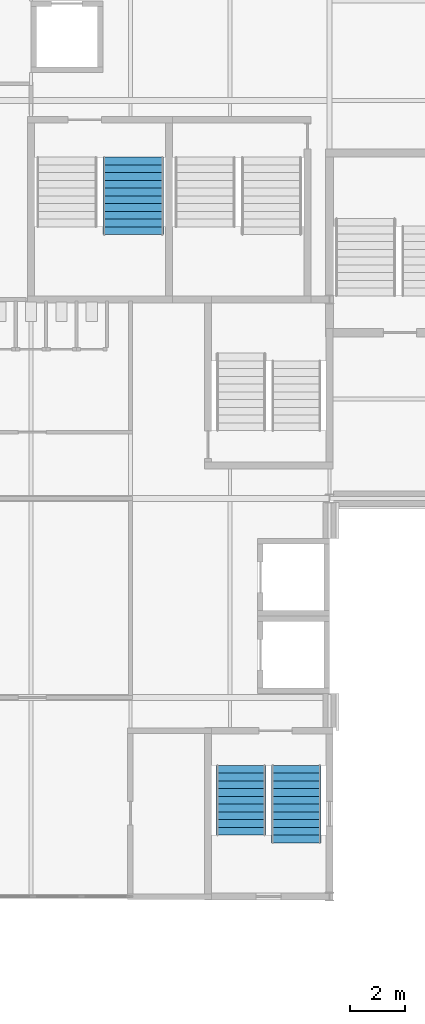
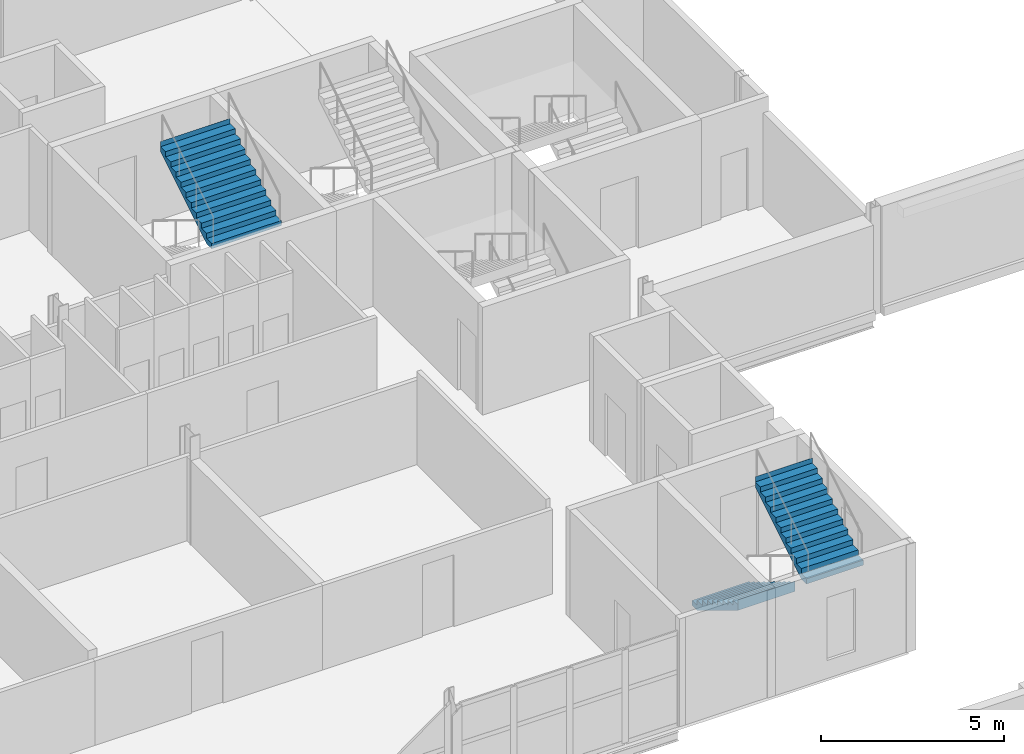
# One storey, part 64 of 90: 3 stair flights, 2 elements without a shape of their own.
"""IFC4 building model written with IfcOpenShell, lengths in metres."""

from ifc_helpers import new_model, si_unit, direction, frame, origin, place, context, subcontext, project, spatial, polyline, outline, extrude, material, type_object, element, aggregate, save


model = new_model("IFC4")

# Units and contexts
model_context = context("Model", 3, precision=1e-05, world=origin(), true_north=direction((0.0, 1.0)))
body_context = subcontext(model_context, "Body", "Model", "MODEL_VIEW")
ifc_project = project(units=[si_unit("LENGTHUNIT", "METRE"), si_unit("AREAUNIT", "SQUARE_METRE"), si_unit("VOLUMEUNIT", "CUBIC_METRE"), si_unit("PLANEANGLEUNIT", "RADIAN"), si_unit("MASSUNIT", "GRAM", prefix="KILO")], contexts=[model_context])

# Site, building, storey
site_placement = place(None, origin())
site = spatial("IfcSite", under=ifc_project, at=site_placement, CompositionType="ELEMENT")
building_placement = place(site_placement, origin())
building = spatial("IfcBuilding", under=site, at=building_placement, Name="Kupolbacken Congress Centre", CompositionType="ELEMENT")
storey_placement = place(building_placement, frame((0.0, 0.0, 3.60009765625)))
storey = spatial("IfcBuildingStorey", under=building, at=storey_placement, Name="L01", CompositionType="ELEMENT", Elevation=3.60009765625)

# Stair, stair flight
ifc_material_1 = material(Name="Concrete C30/37", Category="concrete")
stair_type_1 = type_object("IfcStairType", Name="ST13 stair 2200", PredefinedType="TWO_STRAIGHT_RUN_STAIR", material=ifc_material_1)
stair_1_placement = place(storey_placement, origin())
stair_1 = element("IfcStair", 1, at=stair_1_placement, inside=storey, type_object=stair_type_1, Name="C/stair/PS1SE/L01", PredefinedType="NOTDEFINED")
ifc_material_2 = material(Name="Concrete C30/37", Category="concrete")
stair_flight_type_1 = type_object("IfcStairFlightType", Name="FL14 stair flight 2200 x 11 risers", PredefinedType="STRAIGHT", material=ifc_material_2)
stair_flight_1_placement = place(storey_placement, frame((72.10009765625, 52.7451171875, 1.714111328125), z_axis=(0.0, 0.0, 1.0), x_axis=(0.0, 1.0, 0.0)))
stair_flight_1 = element("IfcStairFlight", 2, at=stair_flight_1_placement, type_object=stair_flight_type_1, Name="PS1SE flight 2", NumberOfRisers=11, NumberOfTreads=10, PredefinedType="STRAIGHT", RiserHeight=0.171428571, TreadLength=0.28, context=body_context, shape_type="SweptSolid", body=[
    extrude(outline(polyline([(0.0, 0.0), (0.0, 0.0009765625), (0.0, 0.002197265625), (0.0, 0.003173828125), (0.0, 0.004150390625), (0.0, 0.00537109375), (0.0, 0.00634765625), (0.0, 0.007568359375), (0.0, 0.008544921875), (0.0, 0.009521484375), (0.0, 0.0107421875), (0.0, 0.01171875), (0.0, 0.0126953125), (0.0, 0.013916015625), (0.0, 0.014892578125), (0.0, 0.015869140625), (0.0, 0.01708984375), (0.0, 0.01806640625), (0.0, 0.019287109375), (0.0, 0.020263671875), (0.0, 0.021240234375), (0.0, 0.0224609375), (0.0, 0.0234375), (0.0, 0.0244140625), (0.0, 0.025634765625), (0.0, 0.026611328125), (0.0, 0.027587890625), (0.0, 0.02880859375), (0.0, 0.02978515625), (0.0, 0.03076171875), (0.0, 0.031982421875), (0.0, 0.032958984375), (0.0, 0.0341796875), (0.0, 0.03515625), (0.0, 0.0361328125), (0.0, 0.037353515625), (0.0, 0.038330078125), (0.0, 0.039306640625), (0.0, 0.04052734375), (0.0, 0.04150390625), (0.0, 0.04248046875), (0.0, 0.043701171875), (0.0, 0.044677734375), (0.0, 0.0458984375), (0.0, 0.046875), (0.0, 0.0478515625), (0.0, 0.049072265625), (0.0, 0.050048828125), (0.0, 0.051025390625), (0.0, 0.05224609375), (0.0, 0.05322265625), (0.0, 0.05419921875), (0.0, 0.055419921875), (0.0, 0.056396484375), (0.0, 0.0576171875), (0.0, 0.05859375), (0.0, 0.0595703125), (0.0, 0.060791015625), (0.0, 0.061767578125), (0.0, 0.062744140625), (0.0, 0.06396484375), (0.0, 0.06494140625), (0.0, 0.06591796875), (0.0, 0.067138671875), (0.0, 0.068115234375), (0.0, 0.069091796875), (0.0, 0.0703125), (0.0, 0.0712890625), (0.0, 0.072509765625), (0.0, 0.073486328125), (0.0, 0.074462890625), (0.0, 0.07568359375), (0.0, 0.07666015625), (0.0, 0.07763671875), (0.0, 0.078857421875), (0.0, 0.079833984375), (0.0, 0.080810546875), (0.0, 0.08203125), (0.0, 0.0830078125), (0.0, 0.084228515625), (0.0, 0.085205078125), (0.0, 0.086181640625), (0.0, 0.08740234375), (0.0, 0.08837890625), (0.0, 0.08935546875), (0.0, 0.090576171875), (0.0, 0.091552734375), (0.0, 0.092529296875), (0.0, 0.09375), (0.0, 0.0947265625), (0.0, 0.095947265625), (0.0, 0.096923828125), (0.0, 0.097900390625), (0.0, 0.09912109375), (0.0, 0.10009765625), (0.0, 0.10107421875), (0.0, 0.102294921875), (0.0, 0.103271484375), (0.0, 0.104248046875), (0.0, 0.10546875), (0.0, 0.1064453125), (0.0, 0.107421875), (0.0, 0.108642578125), (0.0, 0.109619140625), (0.0, 0.11083984375), (0.0, 0.11181640625), (0.0, 0.11279296875), (0.0, 0.114013671875), (0.0, 0.114990234375), (0.0, 0.115966796875), (0.0, 0.1171875), (0.0, 0.1181640625), (0.0, 0.119140625), (0.0, 0.120361328125), (0.0, 0.121337890625), (0.0, 0.12255859375), (0.0, 0.12353515625), (0.0, 0.12451171875), (0.0, 0.125732421875), (0.0, 0.126708984375), (0.0, 0.127685546875), (0.0, 0.12890625), (0.0, 0.1298828125), (0.0, 0.130859375), (0.0, 0.132080078125), (0.0, 0.133056640625), (0.0, 0.13427734375), (0.0, 0.13525390625), (0.0, 0.13623046875), (0.0, 0.137451171875), (0.0, 0.138427734375), (0.0, 0.139404296875), (0.0, 0.140625), (0.0, 0.1416015625), (0.0, 0.142578125), (0.0, 0.143798828125), (0.0, 0.144775390625), (0.0, 0.145751953125), (0.0, 0.14697265625), (0.0, 0.14794921875), (0.0, 0.149169921875), (0.0, 0.150146484375), (0.0, 0.151123046875), (0.0, 0.15234375), (0.0, 0.1533203125), (0.0, 0.154296875), (0.0, 0.155517578125), (0.0, 0.156494140625), (0.0, 0.157470703125), (0.0, 0.15869140625), (0.0, 0.15966796875), (0.0, 0.160888671875), (0.0, 0.161865234375), (0.0, 0.162841796875), (0.0, 0.1640625), (0.0, 0.1650390625), (0.0, 0.166015625), (0.0, 0.167236328125), (0.0, 0.168212890625), (0.0, 0.169189453125), (0.0, 0.17041015625), (0.0, 0.17138671875), (0.280029296875, 0.17138671875), (0.280029296875, 0.3427734375), (0.56005859375, 0.3427734375), (0.56005859375, 0.514404296875), (0.840087890625, 0.514404296875), (0.840087890625, 0.685791015625), (1.1201171875, 0.685791015625), (1.1201171875, 0.857177734375), (1.39990234375, 0.857177734375), (1.39990234375, 1.028564453125), (1.679931640625, 1.028564453125), (1.679931640625, 1.199951171875), (1.9599609375, 1.199951171875), (1.9599609375, 1.371337890625), (2.239990234375, 1.371337890625), (2.239990234375, 1.54296875), (2.52001953125, 1.54296875), (2.52001953125, 1.71435546875), (2.800048828125, 1.71435546875), (2.800048828125, 1.8857421875), (2.802001953125, 1.8857421875), (2.802001953125, 1.883544921875), (2.802001953125, 1.88134765625), (2.802001953125, 1.879150390625), (2.802001953125, 1.877197265625), (2.802001953125, 1.875), (2.802001953125, 1.872802734375), (2.802001953125, 1.87060546875), (2.802001953125, 1.868408203125), (2.802001953125, 1.8662109375), (2.802001953125, 1.8642578125), (2.802001953125, 1.862060546875), (2.802001953125, 1.85986328125), (2.802001953125, 1.857666015625), (2.802001953125, 1.85546875), (2.802001953125, 1.853271484375), (2.802001953125, 1.851318359375), (2.802001953125, 1.84912109375), (2.802001953125, 1.846923828125), (2.802001953125, 1.8447265625), (2.802001953125, 1.842529296875), (2.802001953125, 1.84033203125), (2.802001953125, 1.83837890625), (2.802001953125, 1.836181640625), (2.802001953125, 1.833984375), (2.802001953125, 1.831787109375), (2.802001953125, 1.82958984375), (2.802001953125, 1.827392578125), (2.802001953125, 1.825439453125), (2.802001953125, 1.8232421875), (2.802001953125, 1.821044921875), (2.802001953125, 1.81884765625), (2.802001953125, 1.816650390625), (2.802001953125, 1.814453125), (2.802001953125, 1.8125), (2.802001953125, 1.810302734375), (2.802001953125, 1.80810546875), (2.802001953125, 1.805908203125), (2.802001953125, 1.8037109375), (2.802001953125, 1.801513671875), (2.802001953125, 1.799560546875), (2.802001953125, 1.79736328125), (2.802001953125, 1.795166015625), (2.802001953125, 1.79296875), (2.802001953125, 1.790771484375), (2.802001953125, 1.78857421875), (2.802001953125, 1.78662109375), (2.802001953125, 1.784423828125), (2.802001953125, 1.7822265625), (2.802001953125, 1.780029296875), (2.802001953125, 1.77783203125), (2.802001953125, 1.775634765625), (2.802001953125, 1.773681640625), (2.802001953125, 1.771484375), (2.802001953125, 1.769287109375), (2.802001953125, 1.76708984375), (2.802001953125, 1.764892578125), (2.802001953125, 1.7626953125), (2.802001953125, 1.7607421875), (2.802001953125, 1.758544921875), (2.802001953125, 1.75634765625), (2.802001953125, 1.754150390625), (2.802001953125, 1.751953125), (2.802001953125, 1.749755859375), (2.802001953125, 1.747802734375), (2.802001953125, 1.74560546875), (2.802001953125, 1.743408203125), (2.802001953125, 1.7412109375), (2.802001953125, 1.739013671875), (2.802001953125, 1.73681640625), (2.802001953125, 1.73486328125), (2.802001953125, 1.732666015625), (2.802001953125, 1.73046875), (2.802001953125, 1.728271484375), (2.802001953125, 1.72607421875), (2.802001953125, 1.723876953125), (2.802001953125, 1.721923828125), (2.802001953125, 1.7197265625), (2.802001953125, 1.717529296875), (2.802001953125, 1.71533203125), (2.802001953125, 1.713134765625), (2.802001953125, 1.7109375), (2.802001953125, 1.708984375), (2.802001953125, 1.706787109375), (2.802001953125, 1.70458984375), (2.802001953125, 1.702392578125), (2.802001953125, 1.7001953125), (2.802001953125, 1.697998046875), (2.802001953125, 1.696044921875), (2.802001953125, 1.69384765625), (2.802001953125, 1.691650390625), (2.802001953125, 1.689453125), (2.802001953125, 1.687255859375), (2.802001953125, 1.68505859375), (2.802001953125, 1.68310546875), (2.802001953125, 1.680908203125), (2.802001953125, 1.6787109375), (2.802001953125, 1.676513671875), (2.802001953125, 1.67431640625), (2.802001953125, 1.672119140625), (2.802001953125, 1.670166015625), (2.802001953125, 1.66796875), (2.802001953125, 1.665771484375), (2.802001953125, 1.66357421875), (2.802001953125, 1.661376953125), (2.802001953125, 1.6591796875), (2.802001953125, 1.6572265625), (2.802001953125, 1.655029296875), (2.802001953125, 1.65283203125), (2.802001953125, 1.650634765625), (2.802001953125, 1.6484375), (2.802001953125, 1.646240234375), (2.802001953125, 1.644287109375), (2.802001953125, 1.64208984375), (2.802001953125, 1.639892578125), (2.802001953125, 1.6376953125), (2.802001953125, 1.635498046875), (2.802001953125, 1.63330078125), (2.802001953125, 1.63134765625), (2.802001953125, 1.629150390625), (2.802001953125, 1.626953125), (2.802001953125, 1.624755859375), (2.802001953125, 1.62255859375), (2.802001953125, 1.620361328125), (2.802001953125, 1.618408203125), (2.802001953125, 1.6162109375), (2.802001953125, 1.614013671875), (2.802001953125, 1.61181640625), (2.802001953125, 1.609619140625), (2.802001953125, 1.607421875), (2.802001953125, 1.60546875), (2.802001953125, 1.603271484375), (2.802001953125, 1.60107421875), (2.802001953125, 1.598876953125), (2.802001953125, 1.5966796875), (2.802001953125, 1.594482421875), (2.802001953125, 1.592529296875), (2.802001953125, 1.59033203125), (2.802001953125, 1.588134765625), (2.802001953125, 1.5859375), (2.802001953125, 1.583740234375), (2.802001953125, 1.58154296875), (2.802001953125, 1.57958984375), (2.802001953125, 1.577392578125), (2.802001953125, 1.5751953125), (2.802001953125, 1.572998046875), (2.802001953125, 1.57080078125), (2.802001953125, 1.568603515625), (2.802001953125, 1.566650390625), (2.802001953125, 1.564453125), (2.802001953125, 1.562255859375), (2.802001953125, 1.56005859375), (2.802001953125, 1.557861328125), (2.802001953125, 1.5556640625), (2.802001953125, 1.5537109375), (2.802001953125, 1.551513671875), (2.802001953125, 1.54931640625), (2.802001953125, 1.547119140625), (2.802001953125, 1.544921875), (2.802001953125, 1.542724609375), (2.802001953125, 1.540771484375), (2.802001953125, 1.53857421875), (0.2890625, 0.0), (0.0, 0.0)])), frame((0.0, 1.10009765625, 0.0), z_axis=(0.0, -1.0, 0.0), x_axis=(1.0, 0.0, 0.0)), (0.0, 0.0, 1.0), 2.199951171875),
])
aggregate(stair_1, [stair_flight_1])

# Stair, stair flights
ifc_material_3 = material(Name="Steel S355", Category="steel")
stair_type_2 = type_object("IfcStairType", Name="ST3 stair 1800", PredefinedType="TWO_STRAIGHT_RUN_STAIR", material=ifc_material_3)
stair_2_placement = place(storey_placement, origin())
stair_2 = element("IfcStair", 3, at=stair_2_placement, inside=storey, type_object=stair_type_2, Name="C/stair/FS1E/L01", PredefinedType="NOTDEFINED")
ifc_material_4 = material(Name="Steel S355", Category="steel")
stair_flight_type_2 = type_object("IfcStairFlightType", Name="FL5 stair flight 1800 x 10 risers", PredefinedType="STRAIGHT", material=ifc_material_4)
stair_flight_2_placement = place(storey_placement, frame((76.0, 33.544921875, 0.0), z_axis=(0.0, 0.0, 1.0), x_axis=(0.0, -1.0, 0.0)))
stair_flight_2 = element("IfcStairFlight", 4, at=stair_flight_2_placement, type_object=stair_flight_type_2, Name="FS1E flight 1", NumberOfRisers=10, NumberOfTreads=9, PredefinedType="STRAIGHT", RiserHeight=0.171428571, TreadLength=0.28, context=body_context, shape_type="SweptSolid", body=[
    extrude(outline(polyline([(0.0, 0.0), (0.0, 0.0009765625), (0.0, 0.002197265625), (0.0, 0.003173828125), (0.0, 0.004150390625), (0.0, 0.00537109375), (0.0, 0.00634765625), (0.0, 0.007568359375), (0.0, 0.008544921875), (0.0, 0.009521484375), (0.0, 0.0107421875), (0.0, 0.01171875), (0.0, 0.0126953125), (0.0, 0.013916015625), (0.0, 0.014892578125), (0.0, 0.015869140625), (0.0, 0.01708984375), (0.0, 0.01806640625), (0.0, 0.019287109375), (0.0, 0.020263671875), (0.0, 0.021240234375), (0.0, 0.0224609375), (0.0, 0.0234375), (0.0, 0.0244140625), (0.0, 0.025634765625), (0.0, 0.026611328125), (0.0, 0.027587890625), (0.0, 0.02880859375), (0.0, 0.02978515625), (0.0, 0.03076171875), (0.0, 0.031982421875), (0.0, 0.032958984375), (0.0, 0.0341796875), (0.0, 0.03515625), (0.0, 0.0361328125), (0.0, 0.037353515625), (0.0, 0.038330078125), (0.0, 0.039306640625), (0.0, 0.04052734375), (0.0, 0.04150390625), (0.0, 0.04248046875), (0.0, 0.043701171875), (0.0, 0.044677734375), (0.0, 0.0458984375), (0.0, 0.046875), (0.0, 0.0478515625), (0.0, 0.049072265625), (0.0, 0.050048828125), (0.0, 0.051025390625), (0.0, 0.05224609375), (0.0, 0.05322265625), (0.0, 0.05419921875), (0.0, 0.055419921875), (0.0, 0.056396484375), (0.0, 0.0576171875), (0.0, 0.05859375), (0.0, 0.0595703125), (0.0, 0.060791015625), (0.0, 0.061767578125), (0.0, 0.062744140625), (0.0, 0.06396484375), (0.0, 0.06494140625), (0.0, 0.06591796875), (0.0, 0.067138671875), (0.0, 0.068115234375), (0.0, 0.069091796875), (0.0, 0.0703125), (0.0, 0.0712890625), (0.0, 0.072509765625), (0.0, 0.073486328125), (0.0, 0.074462890625), (0.0, 0.07568359375), (0.0, 0.07666015625), (0.0, 0.07763671875), (0.0, 0.078857421875), (0.0, 0.079833984375), (0.0, 0.080810546875), (0.0, 0.08203125), (0.0, 0.0830078125), (0.0, 0.084228515625), (0.0, 0.085205078125), (0.0, 0.086181640625), (0.0, 0.08740234375), (0.0, 0.08837890625), (0.0, 0.08935546875), (0.0, 0.090576171875), (0.0, 0.091552734375), (0.0, 0.092529296875), (0.0, 0.09375), (0.0, 0.0947265625), (0.0, 0.095947265625), (0.0, 0.096923828125), (0.0, 0.097900390625), (0.0, 0.09912109375), (0.0, 0.10009765625), (0.0, 0.10107421875), (0.0, 0.102294921875), (0.0, 0.103271484375), (0.0, 0.104248046875), (0.0, 0.10546875), (0.0, 0.1064453125), (0.0, 0.107421875), (0.0, 0.108642578125), (0.0, 0.109619140625), (0.0, 0.11083984375), (0.0, 0.11181640625), (0.0, 0.11279296875), (0.0, 0.114013671875), (0.0, 0.114990234375), (0.0, 0.115966796875), (0.0, 0.1171875), (0.0, 0.1181640625), (0.0, 0.119140625), (0.0, 0.120361328125), (0.0, 0.121337890625), (0.0, 0.12255859375), (0.0, 0.12353515625), (0.0, 0.12451171875), (0.0, 0.125732421875), (0.0, 0.126708984375), (0.0, 0.127685546875), (0.0, 0.12890625), (0.0, 0.1298828125), (0.0, 0.130859375), (0.0, 0.132080078125), (0.0, 0.133056640625), (0.0, 0.13427734375), (0.0, 0.13525390625), (0.0, 0.13623046875), (0.0, 0.137451171875), (0.0, 0.138427734375), (0.0, 0.139404296875), (0.0, 0.140625), (0.0, 0.1416015625), (0.0, 0.142578125), (0.0, 0.143798828125), (0.0, 0.144775390625), (0.0, 0.145751953125), (0.0, 0.14697265625), (0.0, 0.14794921875), (0.0, 0.149169921875), (0.0, 0.150146484375), (0.0, 0.151123046875), (0.0, 0.15234375), (0.0, 0.1533203125), (0.0, 0.154296875), (0.0, 0.155517578125), (0.0, 0.156494140625), (0.0, 0.157470703125), (0.0, 0.15869140625), (0.0, 0.15966796875), (0.0, 0.160888671875), (0.0, 0.161865234375), (0.0, 0.162841796875), (0.0, 0.1640625), (0.0, 0.1650390625), (0.0, 0.166015625), (0.0, 0.167236328125), (0.0, 0.168212890625), (0.0, 0.169189453125), (0.0, 0.17041015625), (0.0, 0.17138671875), (0.280029296875, 0.17138671875), (0.280029296875, 0.3427734375), (0.56005859375, 0.3427734375), (0.56005859375, 0.514404296875), (0.840087890625, 0.514404296875), (0.840087890625, 0.685791015625), (1.1201171875, 0.685791015625), (1.1201171875, 0.857177734375), (1.39990234375, 0.857177734375), (1.39990234375, 1.028564453125), (1.679931640625, 1.028564453125), (1.679931640625, 1.199951171875), (1.9599609375, 1.199951171875), (1.9599609375, 1.371337890625), (2.239990234375, 1.371337890625), (2.239990234375, 1.54296875), (2.52001953125, 1.54296875), (2.52001953125, 1.71435546875), (2.52197265625, 1.71435546875), (2.52197265625, 1.712158203125), (2.52197265625, 1.7099609375), (2.52197265625, 1.707763671875), (2.52197265625, 1.70556640625), (2.52197265625, 1.70361328125), (2.52197265625, 1.701416015625), (2.52197265625, 1.69921875), (2.52197265625, 1.697021484375), (2.52197265625, 1.69482421875), (2.52197265625, 1.692626953125), (2.52197265625, 1.690673828125), (2.52197265625, 1.6884765625), (2.52197265625, 1.686279296875), (2.52197265625, 1.68408203125), (2.52197265625, 1.681884765625), (2.52197265625, 1.6796875), (2.52197265625, 1.677734375), (2.52197265625, 1.675537109375), (2.52197265625, 1.67333984375), (2.52197265625, 1.671142578125), (2.52197265625, 1.6689453125), (2.52197265625, 1.666748046875), (2.52197265625, 1.664794921875), (2.52197265625, 1.66259765625), (2.52197265625, 1.660400390625), (2.52197265625, 1.658203125), (2.52197265625, 1.656005859375), (2.52197265625, 1.65380859375), (2.52197265625, 1.65185546875), (2.52197265625, 1.649658203125), (2.52197265625, 1.6474609375), (2.52197265625, 1.645263671875), (2.52197265625, 1.64306640625), (2.52197265625, 1.640869140625), (2.52197265625, 1.638916015625), (2.52197265625, 1.63671875), (2.52197265625, 1.634521484375), (2.52197265625, 1.63232421875), (2.52197265625, 1.630126953125), (2.52197265625, 1.6279296875), (2.52197265625, 1.6259765625), (2.52197265625, 1.623779296875), (2.52197265625, 1.62158203125), (2.52197265625, 1.619384765625), (2.52197265625, 1.6171875), (2.52197265625, 1.614990234375), (2.52197265625, 1.613037109375), (2.52197265625, 1.61083984375), (2.52197265625, 1.608642578125), (2.52197265625, 1.6064453125), (2.52197265625, 1.604248046875), (2.52197265625, 1.60205078125), (2.52197265625, 1.60009765625), (2.52197265625, 1.597900390625), (2.52197265625, 1.595703125), (2.52197265625, 1.593505859375), (2.52197265625, 1.59130859375), (2.52197265625, 1.589111328125), (2.52197265625, 1.587158203125), (2.52197265625, 1.5849609375), (2.52197265625, 1.582763671875), (2.52197265625, 1.58056640625), (2.52197265625, 1.578369140625), (2.52197265625, 1.576171875), (2.52197265625, 1.57421875), (2.52197265625, 1.572021484375), (2.52197265625, 1.56982421875), (2.52197265625, 1.567626953125), (2.52197265625, 1.5654296875), (2.52197265625, 1.563232421875), (2.52197265625, 1.561279296875), (2.52197265625, 1.55908203125), (2.52197265625, 1.556884765625), (2.52197265625, 1.5546875), (2.52197265625, 1.552490234375), (2.52197265625, 1.55029296875), (2.52197265625, 1.54833984375), (2.52197265625, 1.546142578125), (2.52197265625, 1.5439453125), (2.52197265625, 1.541748046875), (2.52197265625, 1.53955078125), (2.52197265625, 1.537353515625), (2.52197265625, 1.535400390625), (2.52197265625, 1.533203125), (2.52197265625, 1.531005859375), (2.52197265625, 1.52880859375), (2.52197265625, 1.526611328125), (2.52197265625, 1.5244140625), (2.52197265625, 1.5224609375), (2.52197265625, 1.520263671875), (2.52197265625, 1.51806640625), (2.52197265625, 1.515869140625), (2.52197265625, 1.513671875), (2.52197265625, 1.511474609375), (2.52197265625, 1.509521484375), (2.52197265625, 1.50732421875), (2.52197265625, 1.505126953125), (2.52197265625, 1.5029296875), (2.52197265625, 1.500732421875), (2.52197265625, 1.49853515625), (2.52197265625, 1.49658203125), (2.52197265625, 1.494384765625), (2.52197265625, 1.4921875), (2.52197265625, 1.489990234375), (2.52197265625, 1.48779296875), (2.52197265625, 1.485595703125), (2.52197265625, 1.483642578125), (2.52197265625, 1.4814453125), (2.52197265625, 1.479248046875), (2.52197265625, 1.47705078125), (2.52197265625, 1.474853515625), (2.52197265625, 1.47265625), (2.52197265625, 1.470703125), (2.52197265625, 1.468505859375), (2.52197265625, 1.46630859375), (2.52197265625, 1.464111328125), (2.52197265625, 1.4619140625), (2.52197265625, 1.459716796875), (2.52197265625, 1.457763671875), (2.52197265625, 1.45556640625), (2.52197265625, 1.453369140625), (2.52197265625, 1.451171875), (2.52197265625, 1.448974609375), (2.52197265625, 1.44677734375), (2.52197265625, 1.44482421875), (2.52197265625, 1.442626953125), (2.52197265625, 1.4404296875), (2.52197265625, 1.438232421875), (2.52197265625, 1.43603515625), (2.52197265625, 1.433837890625), (2.52197265625, 1.431884765625), (2.52197265625, 1.4296875), (2.52197265625, 1.427490234375), (2.52197265625, 1.42529296875), (2.52197265625, 1.423095703125), (2.52197265625, 1.4208984375), (2.52197265625, 1.4189453125), (2.52197265625, 1.416748046875), (2.52197265625, 1.41455078125), (2.52197265625, 1.412353515625), (2.52197265625, 1.41015625), (2.52197265625, 1.407958984375), (2.52197265625, 1.406005859375), (2.52197265625, 1.40380859375), (2.52197265625, 1.401611328125), (2.52197265625, 1.3994140625), (2.52197265625, 1.397216796875), (2.52197265625, 1.39501953125), (2.52197265625, 1.39306640625), (2.52197265625, 1.390869140625), (2.52197265625, 1.388671875), (2.52197265625, 1.386474609375), (2.52197265625, 1.38427734375), (2.52197265625, 1.382080078125), (2.52197265625, 1.380126953125), (2.52197265625, 1.3779296875), (2.52197265625, 1.375732421875), (2.52197265625, 1.37353515625), (2.52197265625, 1.371337890625), (2.52197265625, 1.369140625), (2.52197265625, 1.3671875), (0.2890625, 0.0), (0.0, 0.0)])), frame((0.0, 0.89990234375, 0.0), z_axis=(0.0, -1.0, 0.0), x_axis=(1.0, 0.0, 0.0)), (0.0, 0.0, 1.0), 1.800048828125),
])
ifc_material_5 = material(Name="Steel S355", Category="steel")
stair_flight_type_3 = type_object("IfcStairFlightType", Name="FL6 stair flight 1800 x 11 risers", PredefinedType="STRAIGHT", material=ifc_material_5)
stair_flight_3_placement = place(storey_placement, frame((78.0, 30.7451171875, 1.714111328125), z_axis=(0.0, 0.0, 1.0), x_axis=(0.0, 1.0, 0.0)))
stair_flight_3 = element("IfcStairFlight", 5, at=stair_flight_3_placement, type_object=stair_flight_type_3, Name="FS1E flight 2", NumberOfRisers=11, NumberOfTreads=10, PredefinedType="STRAIGHT", RiserHeight=0.171428571, TreadLength=0.28, context=body_context, shape_type="SweptSolid", body=[
    extrude(outline(polyline([(0.0, 0.0), (0.0, 0.0009765625), (0.0, 0.002197265625), (0.0, 0.003173828125), (0.0, 0.004150390625), (0.0, 0.00537109375), (0.0, 0.00634765625), (0.0, 0.007568359375), (0.0, 0.008544921875), (0.0, 0.009521484375), (0.0, 0.0107421875), (0.0, 0.01171875), (0.0, 0.0126953125), (0.0, 0.013916015625), (0.0, 0.014892578125), (0.0, 0.015869140625), (0.0, 0.01708984375), (0.0, 0.01806640625), (0.0, 0.019287109375), (0.0, 0.020263671875), (0.0, 0.021240234375), (0.0, 0.0224609375), (0.0, 0.0234375), (0.0, 0.0244140625), (0.0, 0.025634765625), (0.0, 0.026611328125), (0.0, 0.027587890625), (0.0, 0.02880859375), (0.0, 0.02978515625), (0.0, 0.03076171875), (0.0, 0.031982421875), (0.0, 0.032958984375), (0.0, 0.0341796875), (0.0, 0.03515625), (0.0, 0.0361328125), (0.0, 0.037353515625), (0.0, 0.038330078125), (0.0, 0.039306640625), (0.0, 0.04052734375), (0.0, 0.04150390625), (0.0, 0.04248046875), (0.0, 0.043701171875), (0.0, 0.044677734375), (0.0, 0.0458984375), (0.0, 0.046875), (0.0, 0.0478515625), (0.0, 0.049072265625), (0.0, 0.050048828125), (0.0, 0.051025390625), (0.0, 0.05224609375), (0.0, 0.05322265625), (0.0, 0.05419921875), (0.0, 0.055419921875), (0.0, 0.056396484375), (0.0, 0.0576171875), (0.0, 0.05859375), (0.0, 0.0595703125), (0.0, 0.060791015625), (0.0, 0.061767578125), (0.0, 0.062744140625), (0.0, 0.06396484375), (0.0, 0.06494140625), (0.0, 0.06591796875), (0.0, 0.067138671875), (0.0, 0.068115234375), (0.0, 0.069091796875), (0.0, 0.0703125), (0.0, 0.0712890625), (0.0, 0.072509765625), (0.0, 0.073486328125), (0.0, 0.074462890625), (0.0, 0.07568359375), (0.0, 0.07666015625), (0.0, 0.07763671875), (0.0, 0.078857421875), (0.0, 0.079833984375), (0.0, 0.080810546875), (0.0, 0.08203125), (0.0, 0.0830078125), (0.0, 0.084228515625), (0.0, 0.085205078125), (0.0, 0.086181640625), (0.0, 0.08740234375), (0.0, 0.08837890625), (0.0, 0.08935546875), (0.0, 0.090576171875), (0.0, 0.091552734375), (0.0, 0.092529296875), (0.0, 0.09375), (0.0, 0.0947265625), (0.0, 0.095947265625), (0.0, 0.096923828125), (0.0, 0.097900390625), (0.0, 0.09912109375), (0.0, 0.10009765625), (0.0, 0.10107421875), (0.0, 0.102294921875), (0.0, 0.103271484375), (0.0, 0.104248046875), (0.0, 0.10546875), (0.0, 0.1064453125), (0.0, 0.107421875), (0.0, 0.108642578125), (0.0, 0.109619140625), (0.0, 0.11083984375), (0.0, 0.11181640625), (0.0, 0.11279296875), (0.0, 0.114013671875), (0.0, 0.114990234375), (0.0, 0.115966796875), (0.0, 0.1171875), (0.0, 0.1181640625), (0.0, 0.119140625), (0.0, 0.120361328125), (0.0, 0.121337890625), (0.0, 0.12255859375), (0.0, 0.12353515625), (0.0, 0.12451171875), (0.0, 0.125732421875), (0.0, 0.126708984375), (0.0, 0.127685546875), (0.0, 0.12890625), (0.0, 0.1298828125), (0.0, 0.130859375), (0.0, 0.132080078125), (0.0, 0.133056640625), (0.0, 0.13427734375), (0.0, 0.13525390625), (0.0, 0.13623046875), (0.0, 0.137451171875), (0.0, 0.138427734375), (0.0, 0.139404296875), (0.0, 0.140625), (0.0, 0.1416015625), (0.0, 0.142578125), (0.0, 0.143798828125), (0.0, 0.144775390625), (0.0, 0.145751953125), (0.0, 0.14697265625), (0.0, 0.14794921875), (0.0, 0.149169921875), (0.0, 0.150146484375), (0.0, 0.151123046875), (0.0, 0.15234375), (0.0, 0.1533203125), (0.0, 0.154296875), (0.0, 0.155517578125), (0.0, 0.156494140625), (0.0, 0.157470703125), (0.0, 0.15869140625), (0.0, 0.15966796875), (0.0, 0.160888671875), (0.0, 0.161865234375), (0.0, 0.162841796875), (0.0, 0.1640625), (0.0, 0.1650390625), (0.0, 0.166015625), (0.0, 0.167236328125), (0.0, 0.168212890625), (0.0, 0.169189453125), (0.0, 0.17041015625), (0.0, 0.17138671875), (0.280029296875, 0.17138671875), (0.280029296875, 0.3427734375), (0.56005859375, 0.3427734375), (0.56005859375, 0.514404296875), (0.840087890625, 0.514404296875), (0.840087890625, 0.685791015625), (1.1201171875, 0.685791015625), (1.1201171875, 0.857177734375), (1.39990234375, 0.857177734375), (1.39990234375, 1.028564453125), (1.679931640625, 1.028564453125), (1.679931640625, 1.199951171875), (1.9599609375, 1.199951171875), (1.9599609375, 1.371337890625), (2.239990234375, 1.371337890625), (2.239990234375, 1.54296875), (2.52001953125, 1.54296875), (2.52001953125, 1.71435546875), (2.800048828125, 1.71435546875), (2.800048828125, 1.8857421875), (2.802001953125, 1.8857421875), (2.802001953125, 1.883544921875), (2.802001953125, 1.88134765625), (2.802001953125, 1.879150390625), (2.802001953125, 1.877197265625), (2.802001953125, 1.875), (2.802001953125, 1.872802734375), (2.802001953125, 1.87060546875), (2.802001953125, 1.868408203125), (2.802001953125, 1.8662109375), (2.802001953125, 1.8642578125), (2.802001953125, 1.862060546875), (2.802001953125, 1.85986328125), (2.802001953125, 1.857666015625), (2.802001953125, 1.85546875), (2.802001953125, 1.853271484375), (2.802001953125, 1.851318359375), (2.802001953125, 1.84912109375), (2.802001953125, 1.846923828125), (2.802001953125, 1.8447265625), (2.802001953125, 1.842529296875), (2.802001953125, 1.84033203125), (2.802001953125, 1.83837890625), (2.802001953125, 1.836181640625), (2.802001953125, 1.833984375), (2.802001953125, 1.831787109375), (2.802001953125, 1.82958984375), (2.802001953125, 1.827392578125), (2.802001953125, 1.825439453125), (2.802001953125, 1.8232421875), (2.802001953125, 1.821044921875), (2.802001953125, 1.81884765625), (2.802001953125, 1.816650390625), (2.802001953125, 1.814453125), (2.802001953125, 1.8125), (2.802001953125, 1.810302734375), (2.802001953125, 1.80810546875), (2.802001953125, 1.805908203125), (2.802001953125, 1.8037109375), (2.802001953125, 1.801513671875), (2.802001953125, 1.799560546875), (2.802001953125, 1.79736328125), (2.802001953125, 1.795166015625), (2.802001953125, 1.79296875), (2.802001953125, 1.790771484375), (2.802001953125, 1.78857421875), (2.802001953125, 1.78662109375), (2.802001953125, 1.784423828125), (2.802001953125, 1.7822265625), (2.802001953125, 1.780029296875), (2.802001953125, 1.77783203125), (2.802001953125, 1.775634765625), (2.802001953125, 1.773681640625), (2.802001953125, 1.771484375), (2.802001953125, 1.769287109375), (2.802001953125, 1.76708984375), (2.802001953125, 1.764892578125), (2.802001953125, 1.7626953125), (2.802001953125, 1.7607421875), (2.802001953125, 1.758544921875), (2.802001953125, 1.75634765625), (2.802001953125, 1.754150390625), (2.802001953125, 1.751953125), (2.802001953125, 1.749755859375), (2.802001953125, 1.747802734375), (2.802001953125, 1.74560546875), (2.802001953125, 1.743408203125), (2.802001953125, 1.7412109375), (2.802001953125, 1.739013671875), (2.802001953125, 1.73681640625), (2.802001953125, 1.73486328125), (2.802001953125, 1.732666015625), (2.802001953125, 1.73046875), (2.802001953125, 1.728271484375), (2.802001953125, 1.72607421875), (2.802001953125, 1.723876953125), (2.802001953125, 1.721923828125), (2.802001953125, 1.7197265625), (2.802001953125, 1.717529296875), (2.802001953125, 1.71533203125), (2.802001953125, 1.713134765625), (2.802001953125, 1.7109375), (2.802001953125, 1.708984375), (2.802001953125, 1.706787109375), (2.802001953125, 1.70458984375), (2.802001953125, 1.702392578125), (2.802001953125, 1.7001953125), (2.802001953125, 1.697998046875), (2.802001953125, 1.696044921875), (2.802001953125, 1.69384765625), (2.802001953125, 1.691650390625), (2.802001953125, 1.689453125), (2.802001953125, 1.687255859375), (2.802001953125, 1.68505859375), (2.802001953125, 1.68310546875), (2.802001953125, 1.680908203125), (2.802001953125, 1.6787109375), (2.802001953125, 1.676513671875), (2.802001953125, 1.67431640625), (2.802001953125, 1.672119140625), (2.802001953125, 1.670166015625), (2.802001953125, 1.66796875), (2.802001953125, 1.665771484375), (2.802001953125, 1.66357421875), (2.802001953125, 1.661376953125), (2.802001953125, 1.6591796875), (2.802001953125, 1.6572265625), (2.802001953125, 1.655029296875), (2.802001953125, 1.65283203125), (2.802001953125, 1.650634765625), (2.802001953125, 1.6484375), (2.802001953125, 1.646240234375), (2.802001953125, 1.644287109375), (2.802001953125, 1.64208984375), (2.802001953125, 1.639892578125), (2.802001953125, 1.6376953125), (2.802001953125, 1.635498046875), (2.802001953125, 1.63330078125), (2.802001953125, 1.63134765625), (2.802001953125, 1.629150390625), (2.802001953125, 1.626953125), (2.802001953125, 1.624755859375), (2.802001953125, 1.62255859375), (2.802001953125, 1.620361328125), (2.802001953125, 1.618408203125), (2.802001953125, 1.6162109375), (2.802001953125, 1.614013671875), (2.802001953125, 1.61181640625), (2.802001953125, 1.609619140625), (2.802001953125, 1.607421875), (2.802001953125, 1.60546875), (2.802001953125, 1.603271484375), (2.802001953125, 1.60107421875), (2.802001953125, 1.598876953125), (2.802001953125, 1.5966796875), (2.802001953125, 1.594482421875), (2.802001953125, 1.592529296875), (2.802001953125, 1.59033203125), (2.802001953125, 1.588134765625), (2.802001953125, 1.5859375), (2.802001953125, 1.583740234375), (2.802001953125, 1.58154296875), (2.802001953125, 1.57958984375), (2.802001953125, 1.577392578125), (2.802001953125, 1.5751953125), (2.802001953125, 1.572998046875), (2.802001953125, 1.57080078125), (2.802001953125, 1.568603515625), (2.802001953125, 1.566650390625), (2.802001953125, 1.564453125), (2.802001953125, 1.562255859375), (2.802001953125, 1.56005859375), (2.802001953125, 1.557861328125), (2.802001953125, 1.5556640625), (2.802001953125, 1.5537109375), (2.802001953125, 1.551513671875), (2.802001953125, 1.54931640625), (2.802001953125, 1.547119140625), (2.802001953125, 1.544921875), (2.802001953125, 1.542724609375), (2.802001953125, 1.540771484375), (2.802001953125, 1.53857421875), (0.2890625, 0.0), (0.0, 0.0)])), frame((0.0, 0.89990234375, 0.0), z_axis=(0.0, -1.0, 0.0), x_axis=(1.0, 0.0, 0.0)), (0.0, 0.0, 1.0), 1.800048828125),
])
aggregate(stair_2, [stair_flight_2, stair_flight_3])

save(model, "model.ifc")
